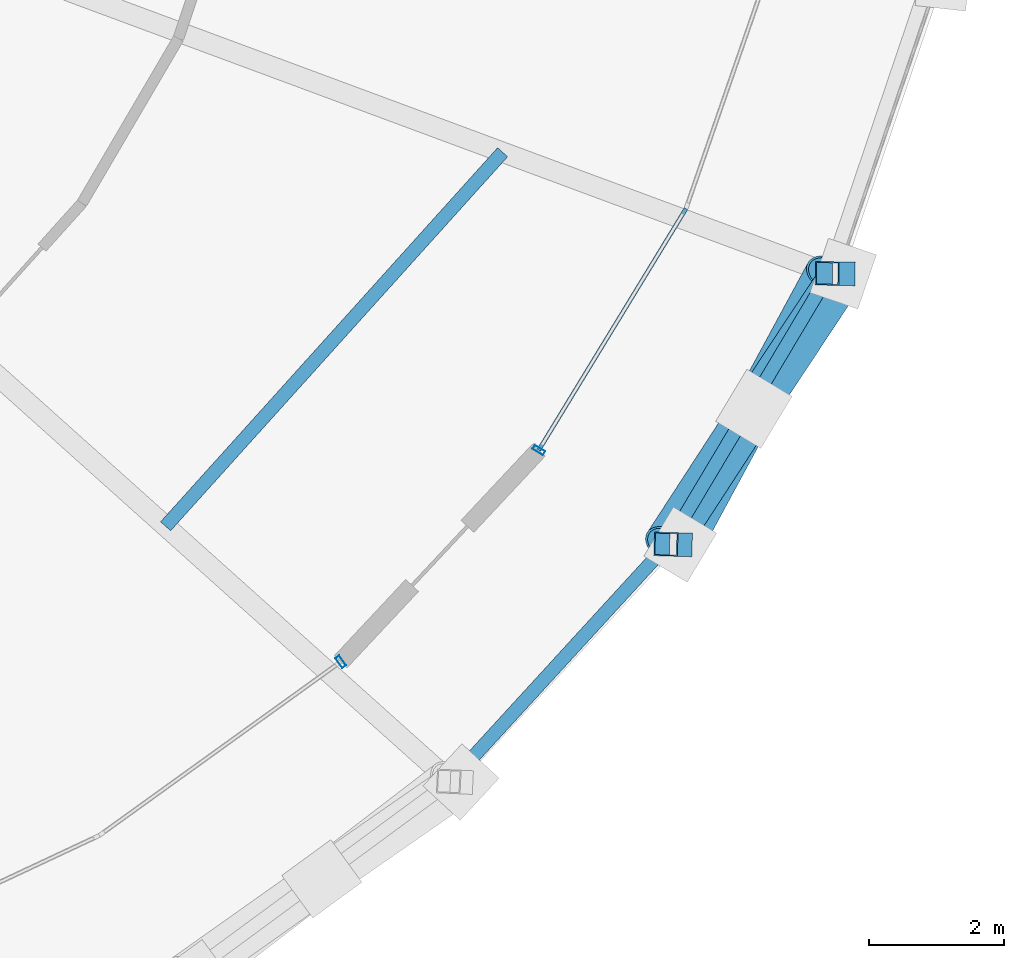
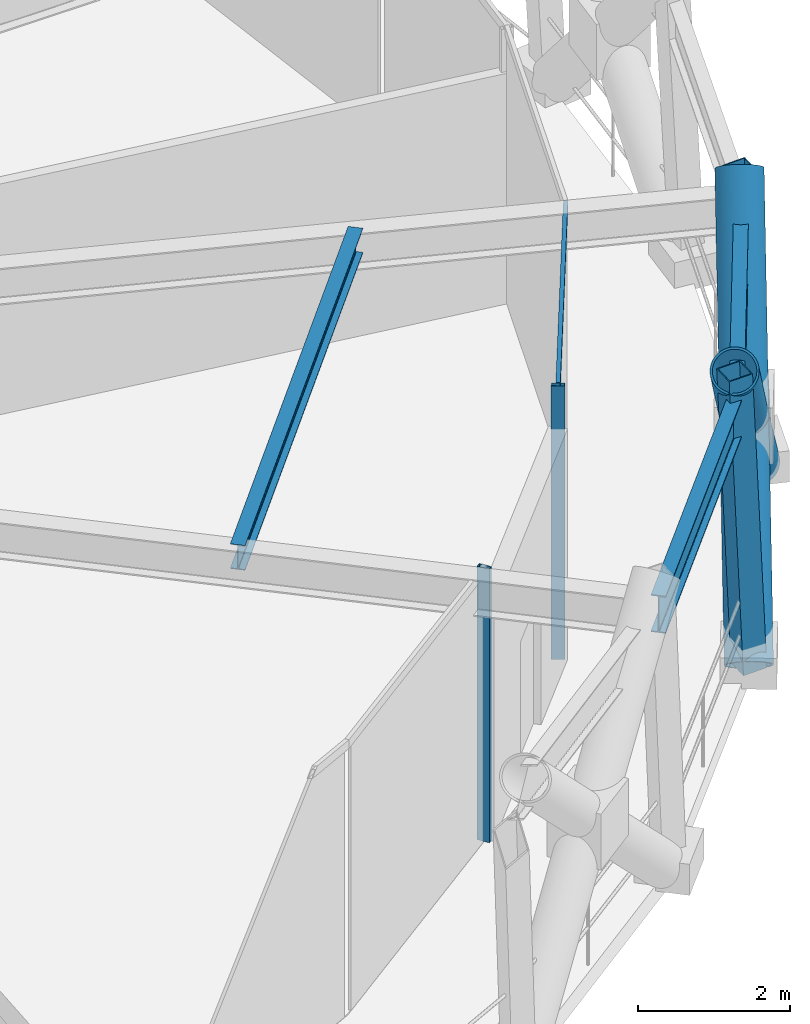
# One storey, part 12 of 29: 8 members, 3 beams, 2 elements without a shape of their own.
"""IFC4 building model written with IfcOpenShell, lengths in metres."""

from ifc_helpers import new_model, si_unit, direction, frame, origin, origin_2d, place, context, subcontext, project, spatial, hollow_rectangle, hollow_circle, i_section, extrude, material, layer, layer_set, material_profile, profile_set, type_object, element, aggregate, save


model = new_model("IFC4")

# Units and contexts
model_context = context("Model", 3, precision=1e-05, world=origin(), true_north=direction((0.0, 1.0)))
body_context = subcontext(model_context, "Body", "Model", "MODEL_VIEW")
ifc_project = project(units=[si_unit("LENGTHUNIT", "METRE"), si_unit("AREAUNIT", "SQUARE_METRE"), si_unit("VOLUMEUNIT", "CUBIC_METRE"), si_unit("PLANEANGLEUNIT", "RADIAN"), si_unit("MASSUNIT", "GRAM", prefix="KILO")], contexts=[model_context])

# Site, building, storey
site_placement = place(None, origin())
site = spatial("IfcSite", under=ifc_project, at=site_placement, CompositionType="ELEMENT")
building_placement = place(site_placement, origin())
building = spatial("IfcBuilding", under=site, at=building_placement, Name="Veldorina Hangang Commons", CompositionType="ELEMENT")
storey_placement = place(building_placement, frame((0.0, 0.0, 203.60009765625)))
storey = spatial("IfcBuildingStorey", under=building, at=storey_placement, Name="L53", CompositionType="ELEMENT", Elevation=203.60009765625)

# Beams
ifc_material_1 = material(Name="Steel SM355-TMC", Category="steel")
ifc_material_profile_1 = material_profile(ifc_material_1, i_section(OverallWidth=0.199951171875, OverallDepth=0.39990234375, WebThickness=0.008056640625, FlangeThickness=0.012939453125, FilletRadius=0.012939453125, at=origin_2d()), Name="H-400x200x8x13")
ifc_profile_set_1 = profile_set([ifc_material_profile_1], Name="Steel SM355-TMC")
beam_type_1 = type_object("IfcBeamType", Name="BM-JST400", PredefinedType="JOIST", material=ifc_profile_set_1)
beam_1_placement = place(storey_placement, frame((46.083984375, 11.380859375, 4.239990234375), z_axis=(0.669380687399, 0.742919575282, 0.0), x_axis=(-0.742919575282, 0.669380687399, 0.0)))
element("IfcBeam", 1, at=beam_1_placement, inside=storey, type_object=beam_type_1, Name="L53 secondary floor joist 15", PredefinedType="JOIST", context=body_context, shape_type="SweptSolid", body=[
    extrude(i_section(OverallWidth=0.199951171875, OverallDepth=0.39990234375, WebThickness=0.008056640625, FlangeThickness=0.012939453125, FilletRadius=0.012939453125, at=origin_2d()), origin(), (0.0, 0.0, 1.0), 7.45654296875),
])
ifc_material_2 = material(Name="Steel SM420-TMC", Category="steel")
ifc_material_profile_2 = material_profile(ifc_material_2, i_section(OverallWidth=0.199951171875, OverallDepth=0.60009765625, WebThickness=0.010986328125, FlangeThickness=0.01708984375, FilletRadius=0.01806640625, at=origin_2d()), Name="H-600x200x11x17")
ifc_profile_set_2 = profile_set([ifc_material_profile_2], Name="Steel SM420-TMC")
beam_type_2 = type_object("IfcBeamType", Name="BM-RB600", PredefinedType="BEAM", material=ifc_profile_set_2)
beam_2_placement = place(storey_placement, frame((50.302978515625, 7.600341796875, 4.139892578125), z_axis=(0.675436950643, 0.737417741654, 0.0), x_axis=(-0.737417741654, 0.675436950643, 0.0)))
element("IfcBeam", 2, at=beam_2_placement, inside=storey, type_object=beam_type_2, Name="L53 perimeter hoop ring beam 28", PredefinedType="BEAM", context=body_context, shape_type="SweptSolid", body=[
    extrude(i_section(OverallWidth=0.199951171875, OverallDepth=0.60009765625, WebThickness=0.010986328125, FlangeThickness=0.01708984375, FilletRadius=0.01806640625, at=origin_2d()), origin(), (0.0, 0.0, 1.0), 4.76611328125),
])
beam_3_placement = place(storey_placement, frame((53.522216796875, 11.114990234375, 4.139892578125), z_axis=(0.512310103749, 0.858800534232, 0.0), x_axis=(-0.858800534232, 0.512310103749, 0.0)))
element("IfcBeam", 3, at=beam_3_placement, inside=storey, type_object=beam_type_2, Name="L53 perimeter hoop ring beam 29", PredefinedType="BEAM", context=body_context, shape_type="SweptSolid", body=[
    extrude(i_section(OverallWidth=0.199951171875, OverallDepth=0.60009765625, WebThickness=0.010986328125, FlangeThickness=0.01708984375, FilletRadius=0.01806640625, at=origin_2d()), origin(), (0.0, 0.0, 1.0), 4.668701171875),
])

# Curtain wall, member
ifc_material_3 = material(Name="Glass Acoustic Laminated", Category="glass")
ifc_layer = layer(ifc_material_3, 0.179931640625)
ifc_layer_set = layer_set([ifc_layer], Name="Glass Acoustic Laminated")
curtain_wall_type = type_object("IfcCurtainWallType", Name="CW-SYS-SKY", PredefinedType="NOTDEFINED", material=ifc_layer_set)
curtain_wall_1_placement = place(storey_placement, origin())
curtain_wall_1 = element("IfcCurtainWall", 4, at=curtain_wall_1_placement, inside=storey, type_object=curtain_wall_type, Name="L53 unitised curtain wall CW-L53-R11", PredefinedType="NOTDEFINED")
ifc_material_4 = material(Name="Aluminium Anodized AA6063-T6", Category="aluminium")
ifc_material_profile_3 = material_profile(ifc_material_4, hollow_rectangle(XDim=0.070068359375, YDim=0.179931640625, WallThickness=0.00390625, at=origin_2d()), Name="ALU-RHS-180x70x4")
ifc_profile_set_3 = profile_set([ifc_material_profile_3], Name="Aluminium Anodized AA6063-T6")
member_type_1 = type_object("IfcMemberType", Name="CW-MUL-180", PredefinedType="MULLION", material=ifc_profile_set_3)
member_1_placement = place(storey_placement, frame((48.677978515625, 9.375, 0.0), z_axis=(0.0, 0.0, 1.0), x_axis=(-0.811665745675, -0.584122176687, 0.0)))
member_1 = element("IfcMember", 5, at=member_1_placement, type_object=member_type_1, Name="CW-L53-R11 vertical mullion 3", PredefinedType="MULLION", context=body_context, shape_type="SweptSolid", body=[
    extrude(hollow_rectangle(XDim=0.070068359375, YDim=0.179931640625, WallThickness=0.00390625, at=origin_2d()), origin(), (0.0, 0.0, 1.0), 4.39990234375),
])
aggregate(curtain_wall_1, [member_1])

# Curtain wall, members
curtain_wall_2_placement = place(storey_placement, origin())
curtain_wall_2 = element("IfcCurtainWall", 6, at=curtain_wall_2_placement, inside=storey, type_object=curtain_wall_type, Name="L53 unitised curtain wall CW-L53-R12", PredefinedType="NOTDEFINED")
member_2_placement = place(storey_placement, frame((51.611083984375, 12.509033203125, 0.0), z_axis=(0.0, 0.0, 1.0), x_axis=(0.520458324188, 0.853887072617, 0.0)))
member_2 = element("IfcMember", 7, at=member_2_placement, type_object=member_type_1, Name="CW-L53-R12 vertical mullion 1", PredefinedType="MULLION", context=body_context, shape_type="SweptSolid", body=[
    extrude(hollow_rectangle(XDim=0.070068359375, YDim=0.179931640625, WallThickness=0.00390625, at=origin_2d()), origin(), (0.0, 0.0, 1.0), 4.39990234375),
])
ifc_material_profile_4 = material_profile(ifc_material_4, hollow_rectangle(XDim=0.06005859375, YDim=0.139892578125, WallThickness=0.00341796875, at=origin_2d()), Name="ALU-RHS-140x60x3.5")
ifc_profile_set_4 = profile_set([ifc_material_profile_4], Name="Aluminium Anodized AA6063-T6")
member_type_2 = type_object("IfcMemberType", Name="CW-TRN-140", PredefinedType="USERDEFINED", material=ifc_profile_set_4)
member_3_placement = place(storey_placement, frame((51.611083984375, 12.509033203125, 4.35986328125), z_axis=(0.520475782094, 0.853876431489, 0.0), x_axis=(-0.853876431489, 0.520475782094, 0.0)))
member_3 = element("IfcMember", 8, at=member_3_placement, type_object=member_type_2, Name="CW-L53-R12 facet 1 transom 1", ObjectType="TRANSOM", PredefinedType="USERDEFINED", context=body_context, shape_type="SweptSolid", body=[
    extrude(hollow_rectangle(XDim=0.06005859375, YDim=0.139892578125, WallThickness=0.00341796875, at=origin_2d()), origin(), (0.0, 0.0, 1.0), 4.18798828125),
])
aggregate(curtain_wall_2, [member_2, member_3])

# Members
ifc_material_5 = material(Name="Steel SM460-TMC", Category="steel")
ifc_material_profile_5 = material_profile(ifc_material_5, hollow_circle(Radius=0.324951171875, WallThickness=0.031982421875, at=origin_2d()), Name="CHS-650x32")
ifc_profile_set_5 = profile_set([ifc_material_profile_5], Name="Steel SM460-TMC")
member_type_3 = type_object("IfcMemberType", Name="DG-CHS650", PredefinedType="BRACE", material=ifc_profile_set_5)
member_4_placement = place(storey_placement, frame((53.706298828125, 11.109130859375, 0.0), z_axis=(0.32831407417, 0.606146635253, 0.724428136721), x_axis=(-0.879301293731, 0.476265928702, 0.0)))
element("IfcMember", 9, at=member_4_placement, inside=storey, type_object=member_type_3, Name="L53 continuous perimeter diagrid brace 29", PredefinedType="BRACE", context=body_context, shape_type="SweptSolid", body=[
    extrude(hollow_circle(Radius=0.324951171875, WallThickness=0.031982421875, at=origin_2d()), origin(), (0.0, 0.0, 1.0), 6.625732421875),
])
member_5_placement = place(storey_placement, frame((56.118896484375, 15.12060546875, 0.0), z_axis=(-0.389694100552, -0.589142704783, 0.707848416962), x_axis=(0.834049298805, -0.551689919395, 0.0)))
element("IfcMember", 10, at=member_5_placement, inside=storey, type_object=member_type_3, Name="L53 split perimeter diagrid lower brace 30", PredefinedType="BRACE", context=body_context, shape_type="SweptSolid", body=[
    extrude(hollow_circle(Radius=0.324951171875, WallThickness=0.031982421875, at=origin_2d()), origin(), (0.0, 0.0, 1.0), 3.3955078125),
])
member_6_placement = place(storey_placement, frame((54.795654296875, 13.1201171875, 2.403564453125), z_axis=(-0.384880982154, -0.592180071867, 0.707947308816), x_axis=(0.838466948709, -0.5449524529, 0.0)))
element("IfcMember", 11, at=member_6_placement, inside=storey, type_object=member_type_3, Name="L53 split perimeter diagrid upper brace 30", PredefinedType="BRACE", context=body_context, shape_type="SweptSolid", body=[
    extrude(hollow_circle(Radius=0.324951171875, WallThickness=0.031982421875, at=origin_2d()), origin(), (0.0, 0.0, 1.0), 3.384765625),
])
ifc_material_profile_6 = material_profile(ifc_material_1, hollow_rectangle(XDim=0.35009765625, YDim=0.35009765625, WallThickness=0.01611328125, at=origin_2d()), Name="SHS-350x350x16")
ifc_profile_set_6 = profile_set([ifc_material_profile_6], Name="Steel SM355-TMC")
member_type_4 = type_object("IfcMemberType", Name="STR-SHS350", PredefinedType="STRUT", material=ifc_profile_set_6)
member_7_placement = place(storey_placement, frame((53.706298828125, 11.109130859375, 0.0), z_axis=(-0.044411841671, 0.001371990532, 0.99901236527), x_axis=(-0.030877718053, -0.99952316958, 0.0)))
element("IfcMember", 12, at=member_7_placement, inside=storey, type_object=member_type_4, Name="L53 perimeter ring node post 29", PredefinedType="STRUT", context=body_context, shape_type="SweptSolid", body=[
    extrude(hollow_rectangle(XDim=0.35009765625, YDim=0.35009765625, WallThickness=0.01611328125, at=origin_2d()), origin(), (0.0, 0.0, 1.0), 4.804443359375),
])
member_8_placement = place(storey_placement, frame((56.118896484375, 15.12060546875, 0.0), z_axis=(-0.049380150625, 0.000965249858, 0.998779589808), x_axis=(-0.019543591677, -0.999809005773, 0.0)))
element("IfcMember", 13, at=member_8_placement, inside=storey, type_object=member_type_4, Name="L53 perimeter ring node post 30", PredefinedType="STRUT", context=body_context, shape_type="SweptSolid", body=[
    extrude(hollow_rectangle(XDim=0.35009765625, YDim=0.35009765625, WallThickness=0.01611328125, at=origin_2d()), origin(), (0.0, 0.0, 1.0), 4.8056640625),
])

save(model, "model.ifc")
